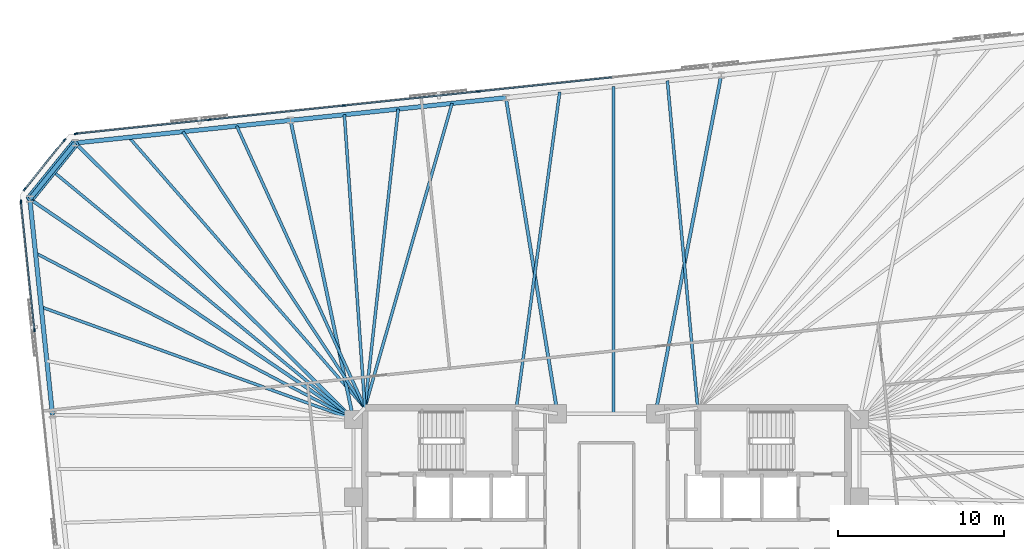
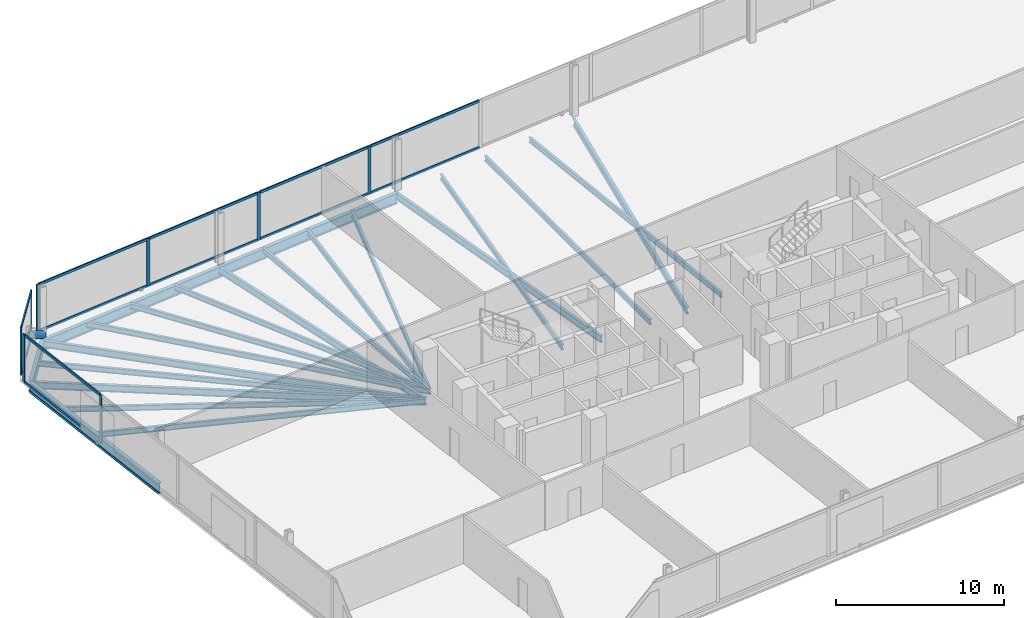
# One storey, part 9 of 18: 21 beams, 21 members, 3 elements without a shape of their own.
"""IFC4 building model written with IfcOpenShell, lengths in metres."""

from ifc_helpers import new_model, si_unit, direction, frame, origin, origin_2d, place, context, subcontext, project, spatial, rectangle, hollow_circle, i_section, extrude, material, material_profile, profile_set, type_object, element, aggregate, save


model = new_model("IFC4")

# Units and contexts
model_context = context("Model", 3, precision=1e-05, world=origin(), true_north=direction((0.0, 1.0)))
body_context = subcontext(model_context, "Body", "Model", "MODEL_VIEW")
ifc_project = project(units=[si_unit("LENGTHUNIT", "METRE"), si_unit("AREAUNIT", "SQUARE_METRE"), si_unit("VOLUMEUNIT", "CUBIC_METRE"), si_unit("PLANEANGLEUNIT", "RADIAN"), si_unit("MASSUNIT", "GRAM", prefix="KILO")], contexts=[model_context])

# Site, building, storey
site_placement = place(None, origin())
site = spatial("IfcSite", under=ifc_project, at=site_placement, CompositionType="ELEMENT")
building_placement = place(site_placement, origin())
building = spatial("IfcBuilding", under=site, at=building_placement, Name="Menara Jurai Vektor", CompositionType="ELEMENT")
storey_placement = place(building_placement, frame((0.0, 0.0, 124.39990234375)))
storey = spatial("IfcBuildingStorey", under=building, at=storey_placement, Name="L31", CompositionType="ELEMENT", Elevation=124.39990234375)

# Curtain wall, members
ifc_material_1 = material(Name="Anodised Pale Aluminium & Low-E Double Glazing", Category="aluminium")
curtain_wall_type = type_object("IfcCurtainWallType", Name="CW-BLK2", PredefinedType="NOTDEFINED", material=ifc_material_1)
curtain_wall_1_placement = place(storey_placement, origin())
curtain_wall_1 = element("IfcCurtainWall", 1, at=curtain_wall_1_placement, inside=storey, type_object=curtain_wall_type, Name="Unitised Curtain Wall L31 F05", PredefinedType="NOTDEFINED")
ifc_material_2 = material(Name="Anodised Pale Aluminium Mullion", Category="aluminium")
ifc_material_profile_1 = material_profile(ifc_material_2, rectangle(XDim=0.090087890625, YDim=0.219970703125, at=origin_2d()), Name="ALU MUL 90x220")
ifc_profile_set_1 = profile_set([ifc_material_profile_1], Name="Anodised Pale Aluminium Mullion")
member_type_1 = type_object("IfcMemberType", Name="CW-BLK2-MUL", PredefinedType="MULLION", material=ifc_profile_set_1)
member_1_placement = place(storey_placement, frame((-7.728271484375, 24.67138671875, 0.0), z_axis=(0.0, 0.0, 1.0), x_axis=(0.104528634935, -0.994521877325, 0.0)))
member_1 = element("IfcMember", 2, at=member_1_placement, type_object=member_type_1, Name="CW-02 mullion 6", PredefinedType="MULLION", context=body_context, shape_type="SweptSolid", body=[
    extrude(rectangle(XDim=0.090087890625, YDim=0.219970703125, at=origin_2d()), origin(), (0.0, 0.0, 1.0), 3.47509765625),
])
member_2_placement = place(storey_placement, frame((-15.826171875, 23.8203125, 0.0), z_axis=(0.0, 0.0, 1.0), x_axis=(0.104528634935, -0.994521877325, 0.0)))
member_2 = element("IfcMember", 3, at=member_2_placement, type_object=member_type_1, Name="CW-02 mullion 7", PredefinedType="MULLION", context=body_context, shape_type="SweptSolid", body=[
    extrude(rectangle(XDim=0.090087890625, YDim=0.219970703125, at=origin_2d()), origin(), (0.0, 0.0, 1.0), 3.47509765625),
])
member_3_placement = place(storey_placement, frame((-23.924072265625, 22.96923828125, 0.0), z_axis=(0.0, 0.0, 1.0), x_axis=(0.104528634935, -0.994521877325, 0.0)))
member_3 = element("IfcMember", 4, at=member_3_placement, type_object=member_type_1, Name="CW-02 mullion 8", PredefinedType="MULLION", context=body_context, shape_type="SweptSolid", body=[
    extrude(rectangle(XDim=0.090087890625, YDim=0.219970703125, at=origin_2d()), origin(), (0.0, 0.0, 1.0), 3.47509765625),
])
member_4_placement = place(storey_placement, frame((-31.97705078125, 22.122802734375, 0.0), z_axis=(0.0, 0.0, 1.0), x_axis=(0.104528634935, -0.994521877325, 0.0)))
member_4 = element("IfcMember", 5, at=member_4_placement, type_object=member_type_1, Name="CW-02 mullion 9", PredefinedType="MULLION", context=body_context, shape_type="SweptSolid", body=[
    extrude(rectangle(XDim=0.090087890625, YDim=0.219970703125, at=origin_2d()), origin(), (0.0, 0.0, 1.0), 3.47509765625),
])

curtain_wall_2_placement = place(storey_placement, origin())
curtain_wall_2 = element("IfcCurtainWall", 6, at=curtain_wall_2_placement, inside=storey, type_object=curtain_wall_type, Name="Unitised Curtain Wall L31 F06", PredefinedType="NOTDEFINED")
member_5_placement = place(storey_placement, frame((-32.667236328125, 21.748046875, 0.0), z_axis=(0.0, 0.0, 1.0), x_axis=(0.777129222223, -0.62934106172, 0.0)))
member_5 = element("IfcMember", 7, at=member_5_placement, type_object=member_type_1, Name="CW-02 mullion 1", PredefinedType="MULLION", context=body_context, shape_type="SweptSolid", body=[
    extrude(rectangle(XDim=0.090087890625, YDim=0.219970703125, at=origin_2d()), origin(), (0.0, 0.0, 1.0), 3.47509765625),
])
member_6_placement = place(storey_placement, frame((-35.0693359375, 18.781982421875, 0.0), z_axis=(0.0, 0.0, 1.0), x_axis=(0.777129222223, -0.62934106172, 0.0)))
member_6 = element("IfcMember", 8, at=member_6_placement, type_object=member_type_1, Name="CW-02 mullion 2", PredefinedType="MULLION", context=body_context, shape_type="SweptSolid", body=[
    extrude(rectangle(XDim=0.090087890625, YDim=0.219970703125, at=origin_2d()), origin(), (0.0, 0.0, 1.0), 3.47509765625),
])

curtain_wall_3_placement = place(storey_placement, origin())
curtain_wall_3 = element("IfcCurtainWall", 9, at=curtain_wall_3_placement, inside=storey, type_object=curtain_wall_type, Name="Unitised Curtain Wall L31 F07", PredefinedType="NOTDEFINED")
member_7_placement = place(storey_placement, frame((-35.29248046875, 18.029052734375, 0.0), z_axis=(0.0, 0.0, 1.0), x_axis=(0.99452177832, 0.104529576902, 0.0)))
member_7 = element("IfcMember", 10, at=member_7_placement, type_object=member_type_1, Name="CW-02 mullion 1", PredefinedType="MULLION", context=body_context, shape_type="SweptSolid", body=[
    extrude(rectangle(XDim=0.090087890625, YDim=0.219970703125, at=origin_2d()), origin(), (0.0, 0.0, 1.0), 3.47509765625),
])
member_8_placement = place(storey_placement, frame((-34.478759765625, 10.28857421875, 0.0), z_axis=(0.0, 0.0, 1.0), x_axis=(0.99452177832, 0.104529576902, 0.0)))
member_8 = element("IfcMember", 11, at=member_8_placement, type_object=member_type_1, Name="CW-02 mullion 2", PredefinedType="MULLION", context=body_context, shape_type="SweptSolid", body=[
    extrude(rectangle(XDim=0.090087890625, YDim=0.219970703125, at=origin_2d()), origin(), (0.0, 0.0, 1.0), 3.47509765625),
])

# Member
ifc_material_3 = material(Name="Anodised Pale Aluminium Transom", Category="aluminium")
ifc_material_profile_2 = material_profile(ifc_material_3, rectangle(XDim=0.090087890625, YDim=0.18505859375, at=origin_2d()), Name="ALU TRN 90x185")
ifc_profile_set_2 = profile_set([ifc_material_profile_2], Name="Anodised Pale Aluminium Transom")
member_type_2 = type_object("IfcMemberType", Name="CW-BLK2-TRN", PredefinedType="USERDEFINED", material=ifc_profile_set_2)
member_9_placement = place(storey_placement, frame((0.324951171875, 25.517822265625, 0.045166015625), z_axis=(-0.99452387809, -0.104509597213, 0.0), x_axis=(0.104509597213, -0.99452387809, 0.0)))
member_9 = element("IfcMember", 12, at=member_9_placement, type_object=member_type_2, Name="CW-02 transom 5.1", ObjectType="TRANSOM", PredefinedType="USERDEFINED", context=body_context, shape_type="SweptSolid", body=[
    extrude(rectangle(XDim=0.090087890625, YDim=0.18505859375, at=origin_2d()), origin(), (0.0, 0.0, 1.0), 8.052490234375),
])

member_10_placement = place(storey_placement, frame((0.324951171875, 25.517822265625, 3.43017578125), z_axis=(-0.99452387809, -0.104509597213, 0.0), x_axis=(0.104509597213, -0.99452387809, 0.0)))
member_10 = element("IfcMember", 13, at=member_10_placement, type_object=member_type_2, Name="CW-02 transom 5.2", ObjectType="TRANSOM", PredefinedType="USERDEFINED", context=body_context, shape_type="SweptSolid", body=[
    extrude(rectangle(XDim=0.090087890625, YDim=0.18505859375, at=origin_2d()), origin(), (0.0, 0.0, 1.0), 8.052490234375),
])

member_11_placement = place(storey_placement, frame((-7.77294921875, 24.666748046875, 0.045166015625), z_axis=(-0.994520726373, -0.10453958492, 0.0), x_axis=(0.10453958492, -0.994520726373, 0.0)))
member_11 = element("IfcMember", 14, at=member_11_placement, type_object=member_type_2, Name="CW-02 transom 6.1", ObjectType="TRANSOM", PredefinedType="USERDEFINED", context=body_context, shape_type="SweptSolid", body=[
    extrude(rectangle(XDim=0.090087890625, YDim=0.18505859375, at=origin_2d()), origin(), (0.0, 0.0, 1.0), 8.052490234375),
])

member_12_placement = place(storey_placement, frame((-7.77294921875, 24.666748046875, 3.43017578125), z_axis=(-0.994520726373, -0.10453958492, 0.0), x_axis=(0.10453958492, -0.994520726373, 0.0)))
member_12 = element("IfcMember", 15, at=member_12_placement, type_object=member_type_2, Name="CW-02 transom 6.2", ObjectType="TRANSOM", PredefinedType="USERDEFINED", context=body_context, shape_type="SweptSolid", body=[
    extrude(rectangle(XDim=0.090087890625, YDim=0.18505859375, at=origin_2d()), origin(), (0.0, 0.0, 1.0), 8.052490234375),
])

member_13_placement = place(storey_placement, frame((-15.870849609375, 23.815673828125, 0.045166015625), z_axis=(-0.994520726373, -0.10453958492, 0.0), x_axis=(0.10453958492, -0.994520726373, 0.0)))
member_13 = element("IfcMember", 16, at=member_13_placement, type_object=member_type_2, Name="CW-02 transom 7.1", ObjectType="TRANSOM", PredefinedType="USERDEFINED", context=body_context, shape_type="SweptSolid", body=[
    extrude(rectangle(XDim=0.090087890625, YDim=0.18505859375, at=origin_2d()), origin(), (0.0, 0.0, 1.0), 8.052490234375),
])

member_14_placement = place(storey_placement, frame((-15.870849609375, 23.815673828125, 3.43017578125), z_axis=(-0.994520726373, -0.10453958492, 0.0), x_axis=(0.10453958492, -0.994520726373, 0.0)))
member_14 = element("IfcMember", 17, at=member_14_placement, type_object=member_type_2, Name="CW-02 transom 7.2", ObjectType="TRANSOM", PredefinedType="USERDEFINED", context=body_context, shape_type="SweptSolid", body=[
    extrude(rectangle(XDim=0.090087890625, YDim=0.18505859375, at=origin_2d()), origin(), (0.0, 0.0, 1.0), 8.052490234375),
])

member_15_placement = place(storey_placement, frame((-23.96875, 22.964599609375, 0.045166015625), z_axis=(-0.994519977808, -0.104546706027, 0.0), x_axis=(0.104546706027, -0.994519977808, 0.0)))
member_15 = element("IfcMember", 18, at=member_15_placement, type_object=member_type_2, Name="CW-02 transom 8.1", ObjectType="TRANSOM", PredefinedType="USERDEFINED", context=body_context, shape_type="SweptSolid", body=[
    extrude(rectangle(XDim=0.090087890625, YDim=0.18505859375, at=origin_2d()), origin(), (0.0, 0.0, 1.0), 8.007568359375),
])

member_16_placement = place(storey_placement, frame((-23.96875, 22.964599609375, 3.43017578125), z_axis=(-0.994519977808, -0.104546706027, 0.0), x_axis=(0.104546706027, -0.994519977808, 0.0)))
member_16 = element("IfcMember", 19, at=member_16_placement, type_object=member_type_2, Name="CW-02 transom 8.2", ObjectType="TRANSOM", PredefinedType="USERDEFINED", context=body_context, shape_type="SweptSolid", body=[
    extrude(rectangle(XDim=0.090087890625, YDim=0.18505859375, at=origin_2d()), origin(), (0.0, 0.0, 1.0), 8.007568359375),
])

aggregate(curtain_wall_1, [member_1, member_2, member_3, member_4, member_9, member_10, member_11, member_12, member_13, member_14, member_15, member_16])

member_17_placement = place(storey_placement, frame((-32.695556640625, 21.713134765625, 0.045166015625), z_axis=(-0.6293414396, -0.777128916205, 0.0), x_axis=(0.777128916205, -0.6293414396, 0.0)))
member_17 = element("IfcMember", 20, at=member_17_placement, type_object=member_type_2, Name="CW-02 transom 1.1", ObjectType="TRANSOM", PredefinedType="USERDEFINED", context=body_context, shape_type="SweptSolid", body=[
    extrude(rectangle(XDim=0.090087890625, YDim=0.18505859375, at=origin_2d()), origin(), (0.0, 0.0, 1.0), 3.726806640625),
])

member_18_placement = place(storey_placement, frame((-32.695556640625, 21.713134765625, 3.43017578125), z_axis=(-0.6293414396, -0.777128916205, 0.0), x_axis=(0.777128916205, -0.6293414396, 0.0)))
member_18 = element("IfcMember", 21, at=member_18_placement, type_object=member_type_2, Name="CW-02 transom 1.2", ObjectType="TRANSOM", PredefinedType="USERDEFINED", context=body_context, shape_type="SweptSolid", body=[
    extrude(rectangle(XDim=0.090087890625, YDim=0.18505859375, at=origin_2d()), origin(), (0.0, 0.0, 1.0), 3.726806640625),
])

aggregate(curtain_wall_2, [member_5, member_6, member_17, member_18])

member_19_placement = place(storey_placement, frame((-35.28759765625, 17.984130859375, 0.045166015625), z_axis=(0.104504716935, -0.994524390922, 0.0), x_axis=(0.994524390922, 0.104504716935, 0.0)))
member_19 = element("IfcMember", 22, at=member_19_placement, type_object=member_type_2, Name="CW-02 transom 1.1", ObjectType="TRANSOM", PredefinedType="USERDEFINED", context=body_context, shape_type="SweptSolid", body=[
    extrude(rectangle(XDim=0.090087890625, YDim=0.18505859375, at=origin_2d()), origin(), (0.0, 0.0, 1.0), 7.693115234375),
])

member_20_placement = place(storey_placement, frame((-35.28759765625, 17.984130859375, 3.43017578125), z_axis=(0.104504716935, -0.994524390922, 0.0), x_axis=(0.994524390922, 0.104504716935, 0.0)))
member_20 = element("IfcMember", 23, at=member_20_placement, type_object=member_type_2, Name="CW-02 transom 1.2", ObjectType="TRANSOM", PredefinedType="USERDEFINED", context=body_context, shape_type="SweptSolid", body=[
    extrude(rectangle(XDim=0.090087890625, YDim=0.18505859375, at=origin_2d()), origin(), (0.0, 0.0, 1.0), 7.693115234375),
])

aggregate(curtain_wall_3, [member_7, member_8, member_19, member_20])

# Beams
ifc_material_4 = material(Name="Steel S355", Category="steel")
ifc_material_profile_3 = material_profile(ifc_material_4, i_section(OverallWidth=0.199951171875, OverallDepth=0.5, WebThickness=0.011962890625, FlangeThickness=0.02001953125, at=origin_2d()), Name="PG 500x200x96")
ifc_profile_set_3 = profile_set([ifc_material_profile_3], Name="Steel S355")
beam_type_1 = type_object("IfcBeamType", Name="STR-BM-500", PredefinedType="BEAM", material=ifc_profile_set_3)
beam_1_placement = place(storey_placement, frame((6.9169921875, 25.65771484375, -0.474853515625), z_axis=(-0.190817481746, -0.981625533826, 0.0), x_axis=(0.981625533826, -0.190817481746, 0.0)))
element("IfcBeam", 24, at=beam_1_placement, inside=storey, type_object=beam_type_1, Name="Radial Floor Girder L31-N3", PredefinedType="BEAM", context=body_context, shape_type="SweptSolid", body=[
    extrude(i_section(OverallWidth=0.199951171875, OverallDepth=0.5, WebThickness=0.011962890625, FlangeThickness=0.02001953125, at=origin_2d()), origin(), (0.0, 0.0, 1.0), 20.789794921875),
])
beam_2_placement = place(storey_placement, frame((-6.0625, 24.29345703125, -0.474853515625), z_axis=(0.161304178177, -0.986904738109, 0.0), x_axis=(0.986904738109, 0.161304178177, 0.0)))
element("IfcBeam", 25, at=beam_2_placement, inside=storey, type_object=beam_type_1, Name="Radial Floor Girder L31-N4", PredefinedType="BEAM", context=body_context, shape_type="SweptSolid", body=[
    extrude(i_section(OverallWidth=0.199951171875, OverallDepth=0.5, WebThickness=0.011962890625, FlangeThickness=0.02001953125, at=origin_2d()), origin(), (0.0, 0.0, 1.0), 19.296142578125),
])
beam_3_placement = place(storey_placement, frame((-19.042236328125, 22.92919921875, -0.474853515625), z_axis=(0.205833499861, -0.978587027471, 0.0), x_axis=(0.978587027471, 0.205833499861, 0.0)))
element("IfcBeam", 26, at=beam_3_placement, inside=storey, type_object=beam_type_1, Name="Radial Floor Girder L31-N5", PredefinedType="BEAM", context=body_context, shape_type="SweptSolid", body=[
    extrude(i_section(OverallWidth=0.199951171875, OverallDepth=0.5, WebThickness=0.011962890625, FlangeThickness=0.02001953125, at=origin_2d()), origin(), (0.0, 0.0, 1.0), 18.423828125),
])
beam_4_placement = place(storey_placement, frame((-32.02197265625, 21.565185546875, -0.474853515625), z_axis=(0.709359361276, -0.704847002242, 0.0), x_axis=(0.704847002242, 0.709359361276, 0.0)))
element("IfcBeam", 27, at=beam_4_placement, inside=storey, type_object=beam_type_1, Name="Radial Floor Girder L31-N6", PredefinedType="BEAM", context=body_context, shape_type="SweptSolid", body=[
    extrude(i_section(OverallWidth=0.199951171875, OverallDepth=0.5, WebThickness=0.011962890625, FlangeThickness=0.02001953125, at=origin_2d()), origin(), (0.0, 0.0, 1.0), 23.643798828125),
])
beam_5_placement = place(storey_placement, frame((-34.756103515625, 18.188720703125, -0.474853515625), z_axis=(0.826440214756, -0.563024485643, 0.0), x_axis=(0.563024485643, 0.826440214756, 0.0)))
element("IfcBeam", 28, at=beam_5_placement, inside=storey, type_object=beam_type_1, Name="Radial Floor Girder L31-W1", PredefinedType="BEAM", context=body_context, shape_type="SweptSolid", body=[
    extrude(i_section(OverallWidth=0.199951171875, OverallDepth=0.5, WebThickness=0.011962890625, FlangeThickness=0.02001953125, at=origin_2d()), origin(), (0.0, 0.0, 1.0), 23.6025390625),
])

# Member
ifc_material_5 = material(Name="Steel S460", Category="steel")
ifc_material_profile_4 = material_profile(ifc_material_5, hollow_circle(Radius=0.25390625, WallThickness=0.02001953125, at=origin_2d()), Name="CHS 508x20")
ifc_profile_set_4 = profile_set([ifc_material_profile_4], Name="Steel S460")
member_type_3 = type_object("IfcMemberType", Name="STR-BR-508", PredefinedType="BRACE", material=ifc_profile_set_4)
member_21_placement = place(storey_placement, frame((-32.02197265625, 21.565185546875, 0.150146484375), z_axis=(-0.51925145818, -0.641240080956, 0.564968213047), x_axis=(0.777154568396, -0.629309762217, 0.0)))
element("IfcMember", 29, at=member_21_placement, inside=storey, type_object=member_type_3, Name="Exoskeleton Corner Brace L31-3", PredefinedType="BRACE", context=body_context, shape_type="SweptSolid", body=[
    extrude(hollow_circle(Radius=0.25390625, WallThickness=0.02001953125, at=origin_2d()), origin(), (0.0, 0.0, 1.0), 5.265625),
])

# Beams
ifc_material_profile_5 = material_profile(ifc_material_4, i_section(OverallWidth=0.175048828125, OverallDepth=0.3798828125, WebThickness=0.010009765625, FlangeThickness=0.014892578125, at=origin_2d()), Name="PG 380x175x58")
ifc_profile_set_5 = profile_set([ifc_material_profile_5], Name="Steel S355")
beam_type_2 = type_object("IfcBeamType", Name="STR-JS-380", PredefinedType="JOIST", material=ifc_profile_set_5)
beam_6_placement = place(storey_placement, frame((3.672119140625, 25.316650390625, -0.414794921875), z_axis=(0.092312082085, -0.995730123829, 0.0), x_axis=(0.995730123829, 0.092312082085, 0.0)))
element("IfcBeam", 30, at=beam_6_placement, inside=storey, type_object=beam_type_2, Name="Radial Secondary Floor Joist L31-JS26", PredefinedType="JOIST", context=body_context, shape_type="SweptSolid", body=[
    extrude(i_section(OverallWidth=0.175048828125, OverallDepth=0.3798828125, WebThickness=0.010009765625, FlangeThickness=0.014892578125, at=origin_2d()), origin(), (0.0, 0.0, 1.0), 19.801025390625),
])
beam_7_placement = place(storey_placement, frame((0.42724609375, 24.9755859375, -0.414794921875), z_axis=(0.0, -1.0, 0.0), x_axis=(1.0, 0.0, 0.0)))
element("IfcBeam", 31, at=beam_7_placement, inside=storey, type_object=beam_type_2, Name="Radial Secondary Floor Joist L31-JS27", PredefinedType="JOIST", context=body_context, shape_type="SweptSolid", body=[
    extrude(i_section(OverallWidth=0.175048828125, OverallDepth=0.3798828125, WebThickness=0.010009765625, FlangeThickness=0.014892578125, at=origin_2d()), origin(), (0.0, 0.0, 1.0), 19.7255859375),
])
beam_8_placement = place(storey_placement, frame((-2.817626953125, 24.634521484375, -0.414794921875), z_axis=(-0.135987109192, -0.990710606652, 0.0), x_axis=(0.990710606652, -0.135987109192, 0.0)))
element("IfcBeam", 32, at=beam_8_placement, inside=storey, type_object=beam_type_2, Name="Radial Secondary Floor Joist L31-JS28", PredefinedType="JOIST", context=body_context, shape_type="SweptSolid", body=[
    extrude(i_section(OverallWidth=0.175048828125, OverallDepth=0.3798828125, WebThickness=0.010009765625, FlangeThickness=0.014892578125, at=origin_2d()), origin(), (0.0, 0.0, 1.0), 19.222412109375),
])
beam_9_placement = place(storey_placement, frame((-9.3076171875, 23.952392578125, -0.414794921875), z_axis=(-0.275153530359, -0.961400298903, 0.0), x_axis=(0.961400298903, -0.275153530359, 0.0)))
element("IfcBeam", 33, at=beam_9_placement, inside=storey, type_object=beam_type_2, Name="Radial Secondary Floor Joist L31-JS29", PredefinedType="JOIST", context=body_context, shape_type="SweptSolid", body=[
    extrude(i_section(OverallWidth=0.175048828125, OverallDepth=0.3798828125, WebThickness=0.010009765625, FlangeThickness=0.014892578125, at=origin_2d()), origin(), (0.0, 0.0, 1.0), 19.089111328125),
])
beam_10_placement = place(storey_placement, frame((-12.552490234375, 23.611328125, -0.414794921875), z_axis=(-0.110776028048, -0.993845396231, 0.0), x_axis=(0.993845396231, -0.110776028048, 0.0)))
element("IfcBeam", 34, at=beam_10_placement, inside=storey, type_object=beam_type_2, Name="Radial Secondary Floor Joist L31-JS30", PredefinedType="JOIST", context=body_context, shape_type="SweptSolid", body=[
    extrude(i_section(OverallWidth=0.175048828125, OverallDepth=0.3798828125, WebThickness=0.010009765625, FlangeThickness=0.014892578125, at=origin_2d()), origin(), (0.0, 0.0, 1.0), 18.122802734375),
])
beam_11_placement = place(storey_placement, frame((-15.79736328125, 23.2705078125, -0.414794921875), z_axis=(0.069850249402, -0.997557488398, 0.0), x_axis=(0.997557488398, 0.069850249402, 0.0)))
element("IfcBeam", 35, at=beam_11_placement, inside=storey, type_object=beam_type_2, Name="Radial Secondary Floor Joist L31-JS31", PredefinedType="JOIST", context=body_context, shape_type="SweptSolid", body=[
    extrude(i_section(OverallWidth=0.175048828125, OverallDepth=0.3798828125, WebThickness=0.010009765625, FlangeThickness=0.014892578125, at=origin_2d()), origin(), (0.0, 0.0, 1.0), 17.713623046875),
])
beam_12_placement = place(storey_placement, frame((-22.287109375, 22.58837890625, -0.414794921875), z_axis=(0.414029617818, -0.910263409992, 0.0), x_axis=(0.910263409992, 0.414029617818, 0.0)))
element("IfcBeam", 36, at=beam_12_placement, inside=storey, type_object=beam_type_2, Name="Radial Secondary Floor Joist L31-JS32", PredefinedType="JOIST", context=body_context, shape_type="SweptSolid", body=[
    extrude(i_section(OverallWidth=0.175048828125, OverallDepth=0.3798828125, WebThickness=0.010009765625, FlangeThickness=0.014892578125, at=origin_2d()), origin(), (0.0, 0.0, 1.0), 18.6630859375),
])
beam_13_placement = place(storey_placement, frame((-25.531982421875, 22.247314453125, -0.414794921875), z_axis=(0.550309675793, -0.834960634239, 0.0), x_axis=(0.834960634239, 0.550309675793, 0.0)))
element("IfcBeam", 37, at=beam_13_placement, inside=storey, type_object=beam_type_2, Name="Radial Secondary Floor Joist L31-JS33", PredefinedType="JOIST", context=body_context, shape_type="SweptSolid", body=[
    extrude(i_section(OverallWidth=0.175048828125, OverallDepth=0.3798828125, WebThickness=0.010009765625, FlangeThickness=0.014892578125, at=origin_2d()), origin(), (0.0, 0.0, 1.0), 19.937744140625),
])
beam_14_placement = place(storey_placement, frame((-28.777099609375, 21.90625, -0.414794921875), z_axis=(0.657172520545, -0.753740192798, 0.0), x_axis=(0.753740192798, 0.657172520545, 0.0)))
element("IfcBeam", 38, at=beam_14_placement, inside=storey, type_object=beam_type_2, Name="Radial Secondary Floor Joist L31-JS34", PredefinedType="JOIST", context=body_context, shape_type="SweptSolid", body=[
    extrude(i_section(OverallWidth=0.175048828125, OverallDepth=0.3798828125, WebThickness=0.010009765625, FlangeThickness=0.014892578125, at=origin_2d()), origin(), (0.0, 0.0, 1.0), 21.633544921875),
])
beam_15_placement = place(storey_placement, frame((-33.388916015625, 19.876953125, -0.414794921875), z_axis=(0.771113505069, -0.636697700876, 0.0), x_axis=(0.636697700876, 0.771113505069, 0.0)))
element("IfcBeam", 39, at=beam_15_placement, inside=storey, type_object=beam_type_2, Name="Radial Secondary Floor Joist L31-JS35", PredefinedType="JOIST", context=body_context, shape_type="SweptSolid", body=[
    extrude(i_section(OverallWidth=0.175048828125, OverallDepth=0.3798828125, WebThickness=0.010009765625, FlangeThickness=0.014892578125, at=origin_2d()), origin(), (0.0, 0.0, 1.0), 23.52294921875),
])
beam_16_placement = place(storey_placement, frame((-34.414306640625, 14.935302734375, -0.414794921875), z_axis=(0.885889402471, -0.463896504179, 0.0), x_axis=(0.463896504179, 0.885889402471, 0.0)))
element("IfcBeam", 40, at=beam_16_placement, inside=storey, type_object=beam_type_2, Name="Radial Secondary Floor Joist L31-JS36", PredefinedType="JOIST", context=body_context, shape_type="SweptSolid", body=[
    extrude(i_section(OverallWidth=0.175048828125, OverallDepth=0.3798828125, WebThickness=0.010009765625, FlangeThickness=0.014892578125, at=origin_2d()), origin(), (0.0, 0.0, 1.0), 21.6328125),
])
beam_17_placement = place(storey_placement, frame((-34.072265625, 11.681884765625, -0.414794921875), z_axis=(0.940792327273, -0.338983475917, 0.0), x_axis=(0.338983475917, 0.940792327273, 0.0)))
element("IfcBeam", 41, at=beam_17_placement, inside=storey, type_object=beam_type_2, Name="Radial Secondary Floor Joist L31-JS37", PredefinedType="JOIST", context=body_context, shape_type="SweptSolid", body=[
    extrude(i_section(OverallWidth=0.175048828125, OverallDepth=0.3798828125, WebThickness=0.010009765625, FlangeThickness=0.014892578125, at=origin_2d()), origin(), (0.0, 0.0, 1.0), 20.0068359375),
])
ifc_material_profile_6 = material_profile(ifc_material_5, i_section(OverallWidth=0.26806640625, OverallDepth=0.77001953125, WebThickness=0.01611328125, FlangeThickness=0.02490234375, FilletRadius=0.01708984375, at=origin_2d()), Name="UKB 762x267x197")
ifc_profile_set_6 = profile_set([ifc_material_profile_6], Name="Steel S460")
beam_type_3 = type_object("IfcBeamType", Name="STR-SP-762", PredefinedType="SPANDREL", material=ifc_profile_set_6)
for number, where, z_axis, x_axis, name in (
    (42, (-6.0625, 24.29345703125, -0.60986328125), (-0.994521636083, -0.104530930169, 0.0), (0.104530930169, -0.994521636083, 0.0), "Exoskeleton Spandrel Beam L31-14"),
    (43, (-19.042236328125, 22.92919921875, -0.60986328125), (-0.994523580592, -0.104512428191, 0.0), (0.104512428191, -0.994523580592, 0.0), "Exoskeleton Spandrel Beam L31-15"),
):
    element("IfcBeam", number, at=place(storey_placement, frame(where, z_axis=z_axis, x_axis=x_axis)), inside=storey, type_object=beam_type_3, Name=name, PredefinedType="SPANDREL", context=body_context, shape_type="SweptSolid", body=[
        extrude(i_section(OverallWidth=0.26806640625, OverallDepth=0.77001953125, WebThickness=0.01611328125, FlangeThickness=0.02490234375, FilletRadius=0.01708984375, at=origin_2d()), origin(), (0.0, 0.0, 1.0), 13.05126953125),
    ])
beam_18_placement = place(storey_placement, frame((-32.02197265625, 21.565185546875, -0.60986328125), z_axis=(-0.629309762217, -0.777154568396, 0.0), x_axis=(0.777154568396, -0.629309762217, 0.0)))
element("IfcBeam", 44, at=beam_18_placement, inside=storey, type_object=beam_type_3, Name="Exoskeleton Spandrel Beam L31-16", PredefinedType="SPANDREL", context=body_context, shape_type="SweptSolid", body=[
    extrude(i_section(OverallWidth=0.26806640625, OverallDepth=0.77001953125, WebThickness=0.01611328125, FlangeThickness=0.02490234375, FilletRadius=0.01708984375, at=origin_2d()), origin(), (0.0, 0.0, 1.0), 4.3447265625),
])
beam_19_placement = place(storey_placement, frame((-34.756103515625, 18.188720703125, -0.60986328125), z_axis=(0.104538130097, -0.994520879296, 0.0), x_axis=(0.994520879296, 0.104538130097, 0.0)))
element("IfcBeam", 45, at=beam_19_placement, inside=storey, type_object=beam_type_3, Name="Exoskeleton Spandrel Beam L31-17", PredefinedType="SPANDREL", context=body_context, shape_type="SweptSolid", body=[
    extrude(i_section(OverallWidth=0.26806640625, OverallDepth=0.77001953125, WebThickness=0.01611328125, FlangeThickness=0.02490234375, FilletRadius=0.01708984375, at=origin_2d()), origin(), (0.0, 0.0, 1.0), 13.08544921875),
])

save(model, "model.ifc")
